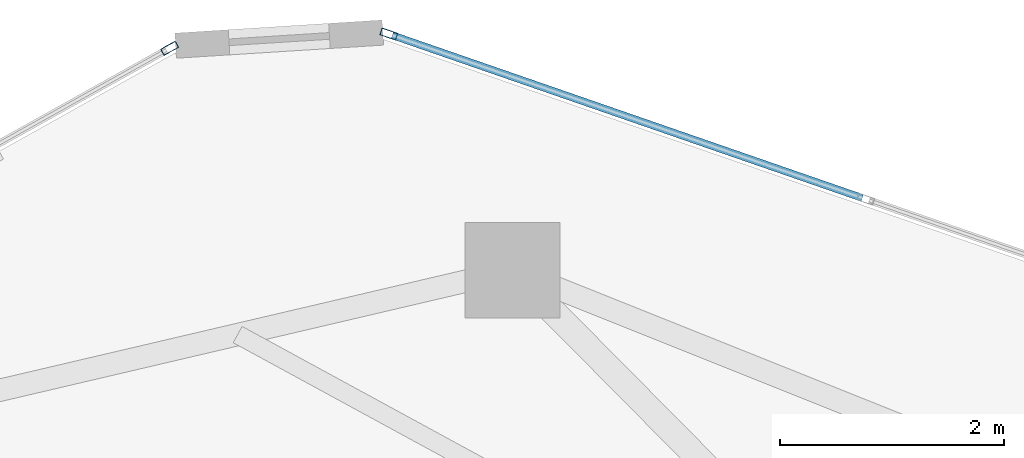
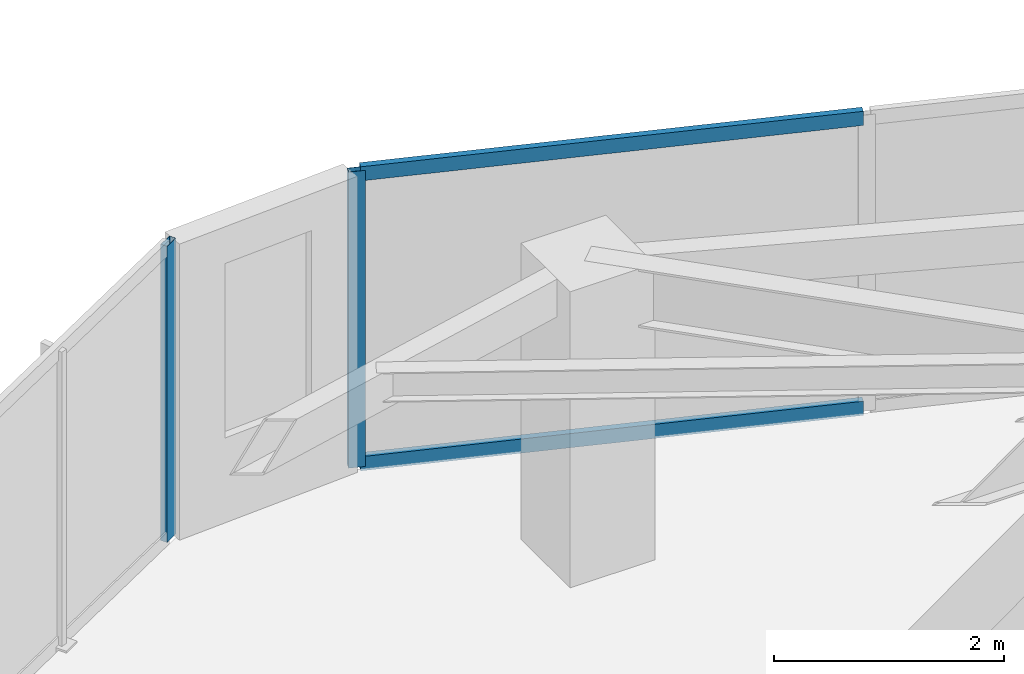
# One storey, part 15 of 20: 4 members, 2 elements without a shape of their own.
"""IFC4 building model written with IfcOpenShell, lengths in metres."""

import ifcopenshell
import ifcopenshell.guid

model = None  # the IFC model being written
_history = None  # IfcOwnerHistory: only IFC2X3 demands one
_inside = {}  # id of a spatial element -> (the spatial element, [elements in it])
_under = {}  # id of a project, library or spatial element -> (it, [spatial elements below it])
_declared = {}  # id of a project -> (the project, [libraries it declares])
_typed = {}  # id of a type object -> (the type object, [elements of that type])
_made_of = {}  # id of a material, layer set ... -> (it, [elements and type objects made of it])


def new_model(schema):
    """Start an empty IFC model of exactly this schema.

    Asked for "IFC4X3", IfcOpenShell would pick the latest addendum, in which some entities
    have other attributes; the version numbers below select the first issue.
    IFC2X3 requires an IfcOwnerHistory on every rooted entity: one is made here for all.
    """
    global model, _history
    if schema == "IFC4X3":
        model = ifcopenshell.file(schema_version=(4, 3, 0, 0))
    else:
        model = ifcopenshell.file(schema=schema)
    _inside.clear()
    _under.clear()
    _declared.clear()
    _typed.clear()
    _made_of.clear()
    _history = None
    if model.schema == "IFC2X3":
        org = make("IfcOrganization", Name="unknown")
        user = make(
            "IfcPersonAndOrganization",
            ThePerson=make("IfcPerson", FamilyName="unknown"),
            TheOrganization=org,
        )
        app = make(
            "IfcApplication",
            ApplicationDeveloper=org,
            Version="unknown",
            ApplicationFullName="unknown",
            ApplicationIdentifier="unknown",
        )
        _history = make(
            "IfcOwnerHistory",
            OwningUser=user,
            OwningApplication=app,
            ChangeAction="ADDED",
            CreationDate=0,
        )
    return model


def make(cls, **values):
    """One entity of the class cls with the attributes given. An attribute that is None is left unset."""
    return model.create_entity(
        cls, **{name: value for name, value in values.items() if value is not None}
    )


def rooted(cls, **values):
    """An entity with a GlobalId (a new one), such as an element, a storey or a relation."""
    return make(cls, GlobalId=ifcopenshell.guid.new(), OwnerHistory=_history, **values)


def si_unit(unit_type, name, prefix=None):
    """IfcSIUnit, for example si_unit("LENGTHUNIT", "METRE", prefix="MILLI")."""
    return make("IfcSIUnit", UnitType=unit_type, Prefix=prefix, Name=name)


def assignment(units):
    """IfcUnitAssignment: the units of a project."""
    return None if units is None else make("IfcUnitAssignment", Units=units)


def point(xyz):
    """IfcCartesianPoint."""
    return None if xyz is None else make("IfcCartesianPoint", Coordinates=xyz)


def direction(xyz):
    """IfcDirection."""
    return None if xyz is None else make("IfcDirection", DirectionRatios=xyz)


def frame(location, z_axis=None, x_axis=None):
    """IfcAxis2Placement3D, a coordinate frame: its origin and axes. An axis left out is left unset."""
    return make(
        "IfcAxis2Placement3D",
        Location=point(location),
        Axis=direction(z_axis),
        RefDirection=direction(x_axis),
    )


def frame_2d(location, x_axis=None):
    """IfcAxis2Placement2D, a coordinate frame in the plane: its origin and x axis."""
    return make(
        "IfcAxis2Placement2D", Location=point(location), RefDirection=direction(x_axis)
    )


def origin():
    """The frame at (0, 0, 0) with its axes left unset."""
    return frame((0.0, 0.0, 0.0))


def origin_2d():
    """The frame at (0, 0) in the plane with its x axis left unset."""
    return frame_2d((0.0, 0.0))


def place(relative_to, where):
    """IfcLocalPlacement: puts the frame where relative to a parent placement (None: the world)."""
    return make(
        "IfcLocalPlacement", PlacementRelTo=relative_to, RelativePlacement=where
    )


def context(
    kind, dimensions, precision=None, world=None, true_north=None, identifier=None
):
    """IfcGeometricRepresentationContext, for example the 3D "Model" context."""
    return make(
        "IfcGeometricRepresentationContext",
        ContextIdentifier=identifier,
        ContextType=kind,
        CoordinateSpaceDimension=dimensions,
        Precision=precision,
        WorldCoordinateSystem=world,
        TrueNorth=true_north,
    )


def subcontext(parent, identifier, kind, view, scale=None):
    """IfcGeometricRepresentationSubContext, for example "Body" below "Model"."""
    return make(
        "IfcGeometricRepresentationSubContext",
        ContextIdentifier=identifier,
        ContextType=kind,
        ParentContext=parent,
        TargetScale=scale,
        TargetView=view,
    )


def project(units=None, contexts=None):
    """IfcProject with its units and contexts."""
    return rooted(
        "IfcProject",
        Name="project",
        RepresentationContexts=contexts,
        UnitsInContext=assignment(units),
    )


def spatial(cls, under=None, at=None, **own):
    """A site, building, storey or space (cls), placed at a placement, below another one or the project."""
    s = rooted(cls, ObjectPlacement=at, **own)
    if under is not None:
        _under.setdefault(under.id(), (under, []))[1].append(s)
    return s


def profile(cls, at=None, kind="AREA", **sizes):
    """A parametric profile (cls). Its sizes go by their IFC names, for example OverallWidth=200.0."""
    return make(cls, ProfileType=kind, Position=at, **sizes)


def hollow_rectangle(**sizes):
    """IfcRectangleHollowProfileDef."""
    return profile("IfcRectangleHollowProfileDef", **sizes)


def extrude(swept, where, along, depth):
    """IfcExtrudedAreaSolid: the profile swept, set in the frame where, extruded along a direction by depth."""
    return make(
        "IfcExtrudedAreaSolid",
        SweptArea=swept,
        Position=where,
        ExtrudedDirection=direction(along),
        Depth=depth,
    )


def shape(context_of_items, identifier, shape_type, items):
    """IfcShapeRepresentation: the items that make up one representation, for example the "Body"."""
    return make(
        "IfcShapeRepresentation",
        ContextOfItems=context_of_items,
        RepresentationIdentifier=identifier,
        RepresentationType=shape_type,
        Items=items,
    )


def source(mapping_origin, context_of_items, identifier, shape_type, items):
    """IfcRepresentationMap: a shape defined once, which mapped items show again and again."""
    return make(
        "IfcRepresentationMap",
        MappingOrigin=mapping_origin,
        MappedRepresentation=shape(context_of_items, identifier, shape_type, items),
    )


def transform(
    local_origin,
    x_axis=None,
    y_axis=None,
    z_axis=None,
    scale=None,
    scale2=None,
    scale3=None,
    uniform=True,
):
    """IfcCartesianTransformationOperator3D, or its non-uniform kind. x_axis, y_axis, z_axis: its Axis1, 2, 3."""
    if uniform:
        return make(
            "IfcCartesianTransformationOperator3D",
            Axis1=direction(x_axis),
            Axis2=direction(y_axis),
            LocalOrigin=point(local_origin),
            Scale=scale,
            Axis3=direction(z_axis),
        )
    return make(
        "IfcCartesianTransformationOperator3DnonUniform",
        Axis1=direction(x_axis),
        Axis2=direction(y_axis),
        LocalOrigin=point(local_origin),
        Scale=scale,
        Axis3=direction(z_axis),
        Scale2=scale2,
        Scale3=scale3,
    )


def mapped(mapping_source, mapping_target):
    """IfcMappedItem: shows the shape of a source again, moved by a transform."""
    return make(
        "IfcMappedItem", MappingSource=mapping_source, MappingTarget=mapping_target
    )


def material(Name=None, Category=None):
    """IfcMaterial."""
    return make("IfcMaterial", Name=Name, Category=Category)


def layer(
    of_material, thickness, ventilated=None, Name=None, Category=None, Priority=None
):
    """IfcMaterialLayer: one layer of a wall or slab, of a material (None: an air gap)."""
    return make(
        "IfcMaterialLayer",
        Material=of_material,
        LayerThickness=thickness,
        IsVentilated=ventilated,
        Name=Name,
        Category=Category,
        Priority=Priority,
    )


def layer_set(layers, Name=None):
    """IfcMaterialLayerSet."""
    return make("IfcMaterialLayerSet", MaterialLayers=layers, LayerSetName=Name)


def material_profile(
    of_material, cross_section, Name=None, Category=None, Priority=None
):
    """IfcMaterialProfile: a cross section and its material."""
    return make(
        "IfcMaterialProfile",
        Name=Name,
        Material=of_material,
        Profile=cross_section,
        Priority=Priority,
        Category=Category,
    )


def profile_set(profiles, Name=None, composite=None):
    """IfcMaterialProfileSet."""
    return make(
        "IfcMaterialProfileSet",
        Name=Name,
        MaterialProfiles=profiles,
        CompositeProfile=composite,
    )


def made_of(thing, what):
    """Note that an element or type object is made of a material, layer set ...; save() writes the relation."""
    if what is not None:
        _made_of.setdefault(what.id(), (what, []))[1].append(thing)
    return thing


def type_object(cls, material=None, **own):
    """A type object (cls), such as IfcWallType, which elements share."""
    return made_of(rooted(cls, **own), material)


def type_shapes(of_type, sources):
    """Give a type object the sources (RepresentationMaps) that its elements show as mapped items."""
    of_type.RepresentationMaps = sources


def element(
    cls,
    number,
    at=None,
    inside=None,
    cuts=None,
    type_object=None,
    material=None,
    context=None,
    identifier="Body",
    shape_type=None,
    held_by="IfcProductDefinitionShape",
    body=None,
    shapes=None,
    **own,
):
    """One element of the class cls, such as IfcWall. Its Tag is "e" and its number.

    at: its placement. inside: the storey or other place that contains it. cuts: it is an
    opening in that element (IfcRelVoidsElement). A single representation is given by context,
    identifier, shape_type and body (its items); several are given by shapes. held_by: the class
    of the entity that holds the representations. save() writes the other relations.
    """
    e = rooted(cls, Tag="e%d" % number, ObjectPlacement=at, **own)
    if body is not None:
        shapes = [shape(context, identifier, shape_type, body)]
    if shapes is not None:
        e.Representation = make(held_by, Representations=shapes)
    if inside is not None:
        _inside.setdefault(inside.id(), (inside, []))[1].append(e)
    if cuts is not None:
        rooted(
            "IfcRelVoidsElement", RelatingBuildingElement=cuts, RelatedOpeningElement=e
        )
    if type_object is not None:
        _typed.setdefault(type_object.id(), (type_object, []))[1].append(e)
    return made_of(e, material)


def aggregate(whole, parts):
    """IfcRelAggregates: a whole, such as a stair, and the parts it consists of."""
    return rooted("IfcRelAggregates", RelatingObject=whole, RelatedObjects=parts)


def save(model, path):
    """Write the relations noted so far, then the file.

    IfcRelAggregates (storeys below a building ...), IfcRelContainedInSpatialStructure (elements
    in a storey), IfcRelDefinesByType, IfcRelAssociatesMaterial and IfcRelDeclares: one each for
    every whole, place, type object, material and project.
    """
    for whole, parts in _under.values():
        aggregate(whole, parts)
    for where, things in _inside.values():
        rooted(
            "IfcRelContainedInSpatialStructure",
            RelatedElements=things,
            RelatingStructure=where,
        )
    for kind, things in _typed.values():
        rooted("IfcRelDefinesByType", RelatedObjects=things, RelatingType=kind)
    for what, things in _made_of.values():
        rooted("IfcRelAssociatesMaterial", RelatedObjects=things, RelatingMaterial=what)
    for by, libraries in _declared.values():
        rooted("IfcRelDeclares", RelatingContext=by, RelatedDefinitions=libraries)
    model.write(path)


model = new_model("IFC4")

# Units and contexts
model_context = context("Model", 3, precision=1e-05, world=origin(), true_north=direction((0.0, 1.0)))
body_context = subcontext(model_context, "Body", "Model", "MODEL_VIEW")
ifc_project = project(units=[si_unit("LENGTHUNIT", "METRE"), si_unit("AREAUNIT", "SQUARE_METRE"), si_unit("VOLUMEUNIT", "CUBIC_METRE"), si_unit("PLANEANGLEUNIT", "RADIAN"), si_unit("MASSUNIT", "GRAM", prefix="KILO")], contexts=[model_context])

# Site, building, storey
site_placement = place(None, origin())
site = spatial("IfcSite", under=ifc_project, at=site_placement, CompositionType="ELEMENT")
building_placement = place(site_placement, origin())
building = spatial("IfcBuilding", under=site, at=building_placement, Name="Talar Marvaseh", CompositionType="ELEMENT")
storey_placement = place(building_placement, frame((0.0, 0.0, 257.800048828125)))
storey = spatial("IfcBuildingStorey", under=building, at=storey_placement, Name="L68", CompositionType="ELEMENT", Elevation=257.800048828125)

# Curtain wall, member
ifc_material = material(Name="Architectural Aluminium", Category="aluminium")
ifc_layer = layer(ifc_material, 0.179931640625)
ifc_layer_set = layer_set([ifc_layer], Name="Architectural Aluminium")
curtain_wall_type = type_object("IfcCurtainWallType", Name="Unitised High-Wind Sky Curtain Wall Z4", PredefinedType="NOTDEFINED", material=ifc_layer_set)
curtain_wall_1_placement = place(storey_placement, origin())
curtain_wall_1 = element("IfcCurtainWall", 1, at=curtain_wall_1_placement, inside=storey, type_object=curtain_wall_type, Name="L68 Unitised High-Wind Sky Curtain Wall Z4", PredefinedType="NOTDEFINED")
ifc_material_profile_1 = material_profile(ifc_material, hollow_rectangle(XDim=0.06494140625, YDim=0.14990234375, WallThickness=0.00390625, at=origin_2d()), Name="RHS150x65x4")
ifc_profile_set_1 = profile_set([ifc_material_profile_1], Name="Architectural Aluminium")
member_type_1 = type_object("IfcMemberType", Name="Unitised Curtain Wall Slim Mullion RHS150x65x4", PredefinedType="MULLION", material=ifc_profile_set_1)
shared_shape_1 = source(origin(), body_context, "Body", "SweptSolid", [
    extrude(hollow_rectangle(XDim=0.06494140625, YDim=0.14990234375, WallThickness=0.00390625, at=origin_2d()), origin(), (0.0, 0.0, 1.0), 3.139892578125),
])
type_shapes(member_type_1, [shared_shape_1])
member_1_placement = place(storey_placement, frame((26.12353515625, 43.037109375, 0.0), z_axis=(0.0, 0.0, 1.0), x_axis=(-0.487589427747, 0.873073049607, 0.0)))
member_1 = element("IfcMember", 2, at=member_1_placement, type_object=member_type_1, Name="CW-Z4 mullion 4", PredefinedType="MULLION", context=body_context, shape_type="MappedRepresentation", body=[
    mapped(shared_shape_1, transform((0.0, 0.0, 0.0), x_axis=(1.0, 0.0, 0.0), y_axis=(0.0, 1.0, 0.0), z_axis=(0.0, 0.0, 1.0), scale=1.0)),
])
aggregate(curtain_wall_1, [member_1])

# Curtain wall, members
curtain_wall_2_placement = place(storey_placement, origin())
curtain_wall_2 = element("IfcCurtainWall", 3, at=curtain_wall_2_placement, inside=storey, type_object=curtain_wall_type, Name="L68 Unitised High-Wind Sky Curtain Wall Z4", PredefinedType="NOTDEFINED")
member_2_placement = place(storey_placement, frame((28.084228515625, 43.1640625, 0.0), z_axis=(0.0, 0.0, 1.0), x_axis=(0.327150867959, 0.944972121067, 0.0)))
member_2 = element("IfcMember", 4, at=member_2_placement, type_object=member_type_1, Name="CW-Z4 mullion 1", PredefinedType="MULLION", context=body_context, shape_type="MappedRepresentation", body=[
    mapped(shared_shape_1, transform((0.0, 0.0, 0.0), x_axis=(1.0, 0.0, 0.0), y_axis=(0.0, 1.0, 0.0), z_axis=(0.0, 0.0, 1.0), scale=1.0)),
])
ifc_material_profile_2 = material_profile(ifc_material, hollow_rectangle(XDim=0.06494140625, YDim=0.14990234375, WallThickness=0.00390625, at=origin_2d()), Name="RHS150x65x4")
ifc_profile_set_2 = profile_set([ifc_material_profile_2], Name="Architectural Aluminium")
member_type_2 = type_object("IfcMemberType", Name="Unitised Curtain Wall Slim Transom RHS150x65x4", PredefinedType="USERDEFINED", material=ifc_profile_set_2)
shared_shape_2 = source(origin(), body_context, "Body", "SweptSolid", [
    extrude(hollow_rectangle(XDim=0.06494140625, YDim=0.14990234375, WallThickness=0.00390625, at=origin_2d()), origin(), (0.0, 0.0, 1.0), 4.447265625),
])
type_shapes(member_type_2, [shared_shape_2])
member_3_placement = place(storey_placement, frame((28.114990234375, 43.1533203125, 0.032470703125), z_axis=(0.94498085203, -0.327125647569, 0.0), x_axis=(0.327125647569, 0.94498085203, 0.0)))
member_3 = element("IfcMember", 5, at=member_3_placement, type_object=member_type_2, Name="CW-Z4 transom 1.1", ObjectType="TRANSOM", PredefinedType="USERDEFINED", context=body_context, shape_type="MappedRepresentation", body=[
    mapped(shared_shape_2, transform((0.0, 0.0, 0.0), x_axis=(1.0, 0.0, 0.0), y_axis=(0.0, 1.0, 0.0), z_axis=(0.0, 0.0, 1.0), scale=1.0)),
])
member_4_placement = place(storey_placement, frame((28.114990234375, 43.1533203125, 3.107421875), z_axis=(0.94498085203, -0.327125647569, 0.0), x_axis=(0.327125647569, 0.94498085203, 0.0)))
member_4 = element("IfcMember", 6, at=member_4_placement, type_object=member_type_2, Name="CW-Z4 transom 1.2", ObjectType="TRANSOM", PredefinedType="USERDEFINED", context=body_context, shape_type="MappedRepresentation", body=[
    mapped(shared_shape_2, transform((0.0, 0.0, 0.0), x_axis=(1.0, 0.0, 0.0), y_axis=(0.0, 1.0, 0.0), z_axis=(0.0, 0.0, 1.0), scale=1.0)),
])
aggregate(curtain_wall_2, [member_2, member_3, member_4])

save(model, "model.ifc")
